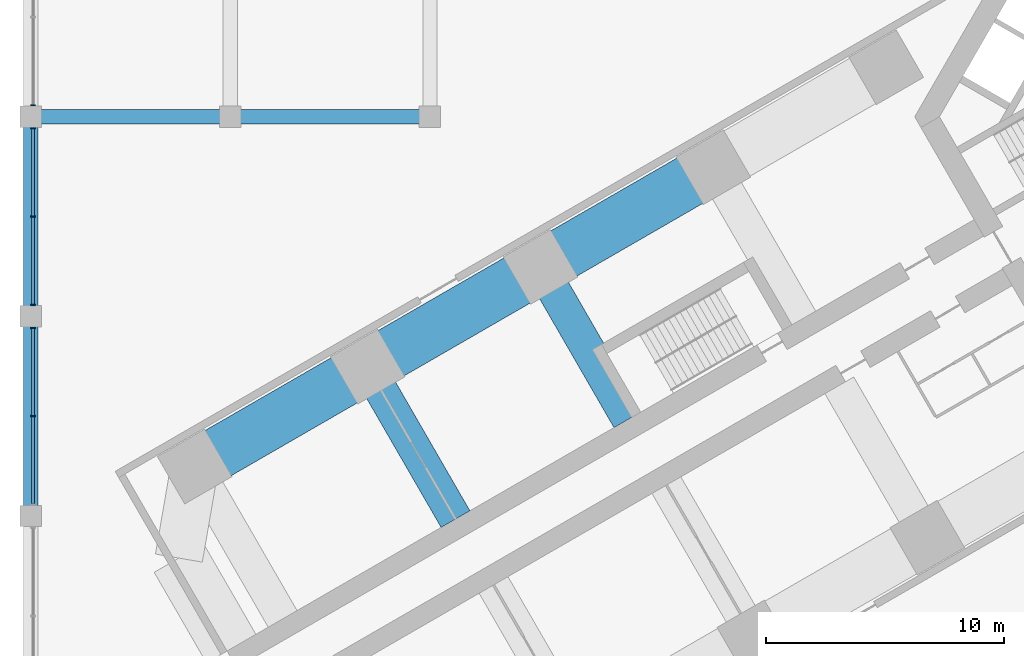
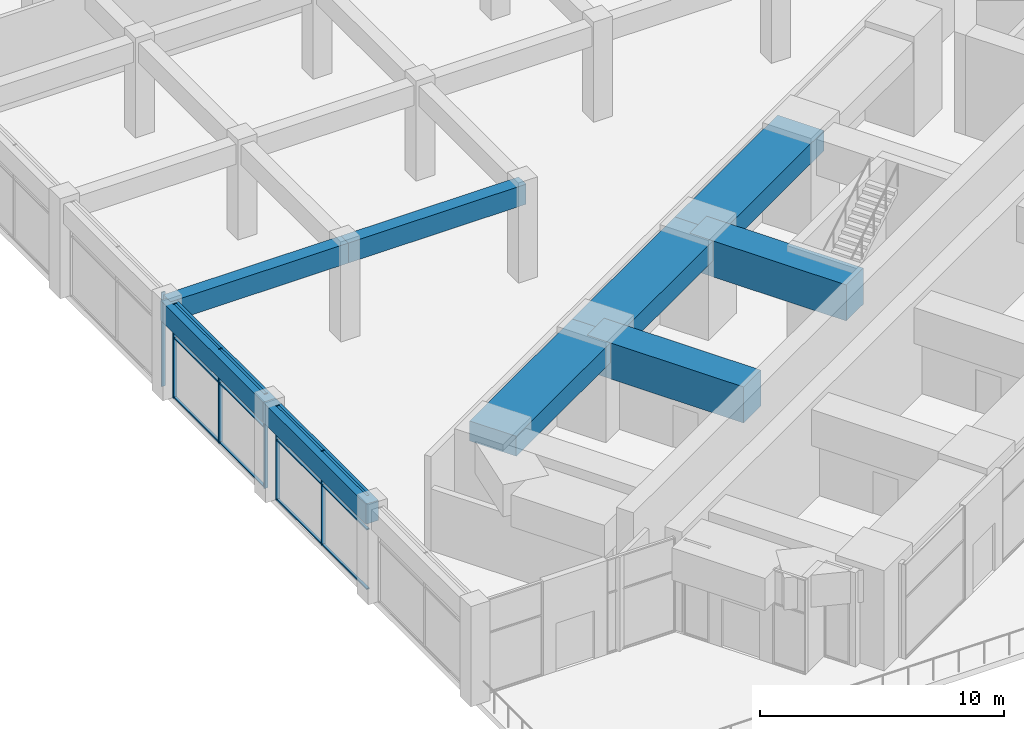
# One storey, part 3 of 34: 18 members, 9 beams, 3 elements without a shape of their own.
"""IFC4 building model written with IfcOpenShell, lengths in metres."""

from ifc_helpers import new_model, si_unit, direction, frame, origin, origin_2d, place, context, subcontext, project, spatial, rectangle, extrude, material, material_profile, profile_set, type_object, element, aggregate, save


model = new_model("IFC4")

# Units and contexts
model_context = context("Model", 3, precision=1e-05, world=origin(), true_north=direction((0.0, 1.0)))
body_context = subcontext(model_context, "Body", "Model", "MODEL_VIEW")
ifc_project = project(units=[si_unit("LENGTHUNIT", "METRE"), si_unit("AREAUNIT", "SQUARE_METRE"), si_unit("VOLUMEUNIT", "CUBIC_METRE"), si_unit("PLANEANGLEUNIT", "RADIAN"), si_unit("MASSUNIT", "GRAM", prefix="KILO")], contexts=[model_context])

# Site, building, storey
site_placement = place(None, origin())
site = spatial("IfcSite", under=ifc_project, at=site_placement, CompositionType="ELEMENT")
building_placement = place(site_placement, origin())
building = spatial("IfcBuilding", under=site, at=building_placement, Name="Impinga Residences", CompositionType="ELEMENT")
storey_placement = place(building_placement, frame((0.0, 0.0, 11.0)))
storey = spatial("IfcBuildingStorey", under=building, at=storey_placement, Name="L02", CompositionType="ELEMENT", Elevation=11.0)

# Beams
ifc_material_1 = material(Name="Concrete C60/75", Category="concrete")
ifc_material_profile_1 = material_profile(ifc_material_1, rectangle(XDim=1.39990234375, YDim=1.800048828125, at=origin_2d()), Name="RC 1400x1800")
ifc_profile_set_1 = profile_set([ifc_material_profile_1], Name="Concrete C60/75")
beam_type_1 = type_object("IfcBeamType", Name="CG4 1400x1800 cross girder on a wing bay line under the podium floors", PredefinedType="BEAM", material=ifc_profile_set_1)
for number, where, z_axis, x_axis, name in (
    (1, (-25.249267578125, -12.730224609375, 3.800048828125), (-0.499988999718, 0.866031754707, 0.0), (-0.866031754707, -0.499988999718, 0.0), "Beam CG4 W3 WC/WF level L03"),
    (2, (-32.52392578125, -16.93017578125, 3.800048828125), (-0.499988999718, 0.866031754707, 0.0), (-0.866031754707, -0.499988999718, 0.0), "Beam CG4 W4 WC/WF level L03"),
):
    element("IfcBeam", number, at=place(storey_placement, frame(where, z_axis=z_axis, x_axis=x_axis)), inside=storey, type_object=beam_type_1, Name=name, PredefinedType="BEAM", context=body_context, shape_type="SweptSolid", body=[
        extrude(rectangle(XDim=1.39990234375, YDim=1.800048828125, at=origin_2d()), origin(), (0.0, 0.0, 1.0), 7.400146484375),
    ])

# Curtain wall, members
ifc_material_2 = material(Name="Aluminium stick curtain wall", Category="aluminium")
curtain_wall_type = type_object("IfcCurtainWallType", Name="CW1 podium amenity curtain wall", PredefinedType="USERDEFINED", material=ifc_material_2)
curtain_wall_1_placement = place(storey_placement, origin())
curtain_wall_1 = element("IfcCurtainWall", 3, at=curtain_wall_1_placement, inside=storey, type_object=curtain_wall_type, Name="Curtain wall CW1 L02", ObjectType="STICK CURTAIN WALL", PredefinedType="USERDEFINED")
ifc_material_3 = material(Name="Aluminium mullion", Category="aluminium")
ifc_material_profile_2 = material_profile(ifc_material_3, rectangle(XDim=0.06005859375, YDim=0.179931640625, at=origin_2d()), Name="60x180 mullion")
ifc_profile_set_2 = profile_set([ifc_material_profile_2], Name="Aluminium mullion")
member_type_1 = type_object("IfcMemberType", Name="CW1-M mullion 60x180", PredefinedType="MULLION", material=ifc_profile_set_2)
member_1_placement = place(storey_placement, frame((-50.300048828125, -12.60009765625, 0.0), z_axis=(0.0, 0.0, 1.0), x_axis=(0.0, 1.0, 0.0)))
member_1 = element("IfcMember", 4, at=member_1_placement, type_object=member_type_1, Name="CW1 mullion 2", PredefinedType="MULLION", context=body_context, shape_type="SweptSolid", body=[
    extrude(rectangle(XDim=0.06005859375, YDim=0.179931640625, at=origin_2d()), origin(), (0.0, 0.0, 1.0), 4.699951171875),
])
member_2_placement = place(storey_placement, frame((-50.300048828125, -8.883056640625, 0.0), z_axis=(0.0, 0.0, 1.0), x_axis=(0.0, 1.0, 0.0)))
member_2 = element("IfcMember", 5, at=member_2_placement, type_object=member_type_1, Name="CW1 mullion 3", PredefinedType="MULLION", context=body_context, shape_type="SweptSolid", body=[
    extrude(rectangle(XDim=0.06005859375, YDim=0.179931640625, at=origin_2d()), origin(), (0.0, 0.0, 1.0), 4.699951171875),
])

curtain_wall_2_placement = place(storey_placement, origin())
curtain_wall_2 = element("IfcCurtainWall", 6, at=curtain_wall_2_placement, inside=storey, type_object=curtain_wall_type, Name="Curtain wall CW1 L02", ObjectType="STICK CURTAIN WALL", PredefinedType="USERDEFINED")
member_3_placement = place(storey_placement, frame((-50.300048828125, -7.9169921875, 0.0), z_axis=(0.0, 0.0, 1.0), x_axis=(0.0, 1.0, 0.0)))
member_3 = element("IfcMember", 7, at=member_3_placement, type_object=member_type_1, Name="CW1 mullion 1", PredefinedType="MULLION", context=body_context, shape_type="SweptSolid", body=[
    extrude(rectangle(XDim=0.06005859375, YDim=0.179931640625, at=origin_2d()), origin(), (0.0, 0.0, 1.0), 4.699951171875),
])
member_4_placement = place(storey_placement, frame((-50.300048828125, -4.199951171875, 0.0), z_axis=(0.0, 0.0, 1.0), x_axis=(0.0, 1.0, 0.0)))
member_4 = element("IfcMember", 8, at=member_4_placement, type_object=member_type_1, Name="CW1 mullion 2", PredefinedType="MULLION", context=body_context, shape_type="SweptSolid", body=[
    extrude(rectangle(XDim=0.06005859375, YDim=0.179931640625, at=origin_2d()), origin(), (0.0, 0.0, 1.0), 4.699951171875),
])
member_5_placement = place(storey_placement, frame((-50.300048828125, -0.48291015625, 0.0), z_axis=(0.0, 0.0, 1.0), x_axis=(0.0, 1.0, 0.0)))
member_5 = element("IfcMember", 9, at=member_5_placement, type_object=member_type_1, Name="CW1 mullion 3", PredefinedType="MULLION", context=body_context, shape_type="SweptSolid", body=[
    extrude(rectangle(XDim=0.06005859375, YDim=0.179931640625, at=origin_2d()), origin(), (0.0, 0.0, 1.0), 4.699951171875),
])

# Curtain wall, member
curtain_wall_3_placement = place(storey_placement, origin())
curtain_wall_3 = element("IfcCurtainWall", 10, at=curtain_wall_3_placement, inside=storey, type_object=curtain_wall_type, Name="Curtain wall CW1 L02", ObjectType="STICK CURTAIN WALL", PredefinedType="USERDEFINED")
member_6_placement = place(storey_placement, frame((-50.300048828125, 0.48291015625, 0.0), z_axis=(0.0, 0.0, 1.0), x_axis=(0.0, 1.0, 0.0)))
member_6 = element("IfcMember", 11, at=member_6_placement, type_object=member_type_1, Name="CW1 mullion 1", PredefinedType="MULLION", context=body_context, shape_type="SweptSolid", body=[
    extrude(rectangle(XDim=0.06005859375, YDim=0.179931640625, at=origin_2d()), origin(), (0.0, 0.0, 1.0), 4.699951171875),
])
aggregate(curtain_wall_3, [member_6])

# Member
ifc_material_4 = material(Name="Aluminium transom", Category="aluminium")
ifc_material_profile_3 = material_profile(ifc_material_4, rectangle(XDim=0.06005859375, YDim=0.1201171875, at=origin_2d()), Name="60x120 transom")
ifc_profile_set_3 = profile_set([ifc_material_profile_3], Name="Aluminium transom")
member_type_2 = type_object("IfcMemberType", Name="CW1-T transom 60x120", PredefinedType="USERDEFINED", material=ifc_profile_set_3)
member_7_placement = place(storey_placement, frame((-50.300048828125, -16.287109375, 0.030029296875), z_axis=(0.0, 1.0, 0.0), x_axis=(0.0, 0.0, 1.0)))
member_7 = element("IfcMember", 12, at=member_7_placement, type_object=member_type_2, Name="CW1 transom 1.1", ObjectType="TRANSOM", PredefinedType="USERDEFINED", context=body_context, shape_type="SweptSolid", body=[
    extrude(rectangle(XDim=0.06005859375, YDim=0.1201171875, at=origin_2d()), origin(), (0.0, 0.0, 1.0), 3.6572265625),
])

member_8_placement = place(storey_placement, frame((-50.300048828125, -16.287109375, 3.0), z_axis=(0.0, 1.0, 0.0), x_axis=(0.0, 0.0, 1.0)))
member_8 = element("IfcMember", 13, at=member_8_placement, type_object=member_type_2, Name="CW1 transom 1.2", ObjectType="TRANSOM", PredefinedType="USERDEFINED", context=body_context, shape_type="SweptSolid", body=[
    extrude(rectangle(XDim=0.06005859375, YDim=0.1201171875, at=origin_2d()), origin(), (0.0, 0.0, 1.0), 3.6572265625),
])

member_9_placement = place(storey_placement, frame((-50.300048828125, -16.287109375, 4.669921875), z_axis=(0.0, 1.0, 0.0), x_axis=(0.0, 0.0, 1.0)))
member_9 = element("IfcMember", 14, at=member_9_placement, type_object=member_type_2, Name="CW1 transom 1.3", ObjectType="TRANSOM", PredefinedType="USERDEFINED", context=body_context, shape_type="SweptSolid", body=[
    extrude(rectangle(XDim=0.06005859375, YDim=0.1201171875, at=origin_2d()), origin(), (0.0, 0.0, 1.0), 3.6572265625),
])

member_10_placement = place(storey_placement, frame((-50.300048828125, -12.570068359375, 0.030029296875), z_axis=(0.0, 1.0, 0.0), x_axis=(0.0, 0.0, 1.0)))
member_10 = element("IfcMember", 15, at=member_10_placement, type_object=member_type_2, Name="CW1 transom 2.1", ObjectType="TRANSOM", PredefinedType="USERDEFINED", context=body_context, shape_type="SweptSolid", body=[
    extrude(rectangle(XDim=0.06005859375, YDim=0.1201171875, at=origin_2d()), origin(), (0.0, 0.0, 1.0), 3.656982421875),
])

member_11_placement = place(storey_placement, frame((-50.300048828125, -12.570068359375, 3.0), z_axis=(0.0, 1.0, 0.0), x_axis=(0.0, 0.0, 1.0)))
member_11 = element("IfcMember", 16, at=member_11_placement, type_object=member_type_2, Name="CW1 transom 2.2", ObjectType="TRANSOM", PredefinedType="USERDEFINED", context=body_context, shape_type="SweptSolid", body=[
    extrude(rectangle(XDim=0.06005859375, YDim=0.1201171875, at=origin_2d()), origin(), (0.0, 0.0, 1.0), 3.656982421875),
])

member_12_placement = place(storey_placement, frame((-50.300048828125, -12.570068359375, 4.669921875), z_axis=(0.0, 1.0, 0.0), x_axis=(0.0, 0.0, 1.0)))
member_12 = element("IfcMember", 17, at=member_12_placement, type_object=member_type_2, Name="CW1 transom 2.3", ObjectType="TRANSOM", PredefinedType="USERDEFINED", context=body_context, shape_type="SweptSolid", body=[
    extrude(rectangle(XDim=0.06005859375, YDim=0.1201171875, at=origin_2d()), origin(), (0.0, 0.0, 1.0), 3.656982421875),
])

aggregate(curtain_wall_1, [member_1, member_2, member_7, member_8, member_9, member_10, member_11, member_12])

member_13_placement = place(storey_placement, frame((-50.300048828125, -7.886962890625, 0.030029296875), z_axis=(0.0, 1.0, 0.0), x_axis=(0.0, 0.0, 1.0)))
member_13 = element("IfcMember", 18, at=member_13_placement, type_object=member_type_2, Name="CW1 transom 1.1", ObjectType="TRANSOM", PredefinedType="USERDEFINED", context=body_context, shape_type="SweptSolid", body=[
    extrude(rectangle(XDim=0.06005859375, YDim=0.1201171875, at=origin_2d()), origin(), (0.0, 0.0, 1.0), 3.656982421875),
])

member_14_placement = place(storey_placement, frame((-50.300048828125, -7.886962890625, 3.0), z_axis=(0.0, 1.0, 0.0), x_axis=(0.0, 0.0, 1.0)))
member_14 = element("IfcMember", 19, at=member_14_placement, type_object=member_type_2, Name="CW1 transom 1.2", ObjectType="TRANSOM", PredefinedType="USERDEFINED", context=body_context, shape_type="SweptSolid", body=[
    extrude(rectangle(XDim=0.06005859375, YDim=0.1201171875, at=origin_2d()), origin(), (0.0, 0.0, 1.0), 3.656982421875),
])

member_15_placement = place(storey_placement, frame((-50.300048828125, -7.886962890625, 4.669921875), z_axis=(0.0, 1.0, 0.0), x_axis=(0.0, 0.0, 1.0)))
member_15 = element("IfcMember", 20, at=member_15_placement, type_object=member_type_2, Name="CW1 transom 1.3", ObjectType="TRANSOM", PredefinedType="USERDEFINED", context=body_context, shape_type="SweptSolid", body=[
    extrude(rectangle(XDim=0.06005859375, YDim=0.1201171875, at=origin_2d()), origin(), (0.0, 0.0, 1.0), 3.656982421875),
])

member_16_placement = place(storey_placement, frame((-50.300048828125, -4.169921875, 0.030029296875), z_axis=(0.0, 1.0, 0.0), x_axis=(0.0, 0.0, 1.0)))
member_16 = element("IfcMember", 21, at=member_16_placement, type_object=member_type_2, Name="CW1 transom 2.1", ObjectType="TRANSOM", PredefinedType="USERDEFINED", context=body_context, shape_type="SweptSolid", body=[
    extrude(rectangle(XDim=0.06005859375, YDim=0.1201171875, at=origin_2d()), origin(), (0.0, 0.0, 1.0), 3.656982421875),
])

member_17_placement = place(storey_placement, frame((-50.300048828125, -4.169921875, 3.0), z_axis=(0.0, 1.0, 0.0), x_axis=(0.0, 0.0, 1.0)))
member_17 = element("IfcMember", 22, at=member_17_placement, type_object=member_type_2, Name="CW1 transom 2.2", ObjectType="TRANSOM", PredefinedType="USERDEFINED", context=body_context, shape_type="SweptSolid", body=[
    extrude(rectangle(XDim=0.06005859375, YDim=0.1201171875, at=origin_2d()), origin(), (0.0, 0.0, 1.0), 3.656982421875),
])

member_18_placement = place(storey_placement, frame((-50.300048828125, -4.169921875, 4.669921875), z_axis=(0.0, 1.0, 0.0), x_axis=(0.0, 0.0, 1.0)))
member_18 = element("IfcMember", 23, at=member_18_placement, type_object=member_type_2, Name="CW1 transom 2.3", ObjectType="TRANSOM", PredefinedType="USERDEFINED", context=body_context, shape_type="SweptSolid", body=[
    extrude(rectangle(XDim=0.06005859375, YDim=0.1201171875, at=origin_2d()), origin(), (0.0, 0.0, 1.0), 3.656982421875),
])

aggregate(curtain_wall_2, [member_3, member_4, member_5, member_13, member_14, member_15, member_16, member_17, member_18])

# Beams
ifc_material_profile_4 = material_profile(ifc_material_1, rectangle(XDim=0.60009765625, YDim=1.0, at=origin_2d()), Name="RC 600x1000")
ifc_profile_set_4 = profile_set([ifc_material_profile_4], Name="Concrete C60/75")
beam_type_2 = type_object("IfcBeamType", Name="PB2 600x1000 podium beam", PredefinedType="BEAM", material=ifc_profile_set_4)
for number, where, z_axis, x_axis, name in (
    (24, (-50.39990234375, 0.0, 4.199951171875), (1.0, 0.0, 0.0), (0.0, 1.0, 0.0), "Beam PB2 F/1-2 level L03"),
    (25, (-42.0, 0.0, 4.199951171875), (1.0, 0.0, 0.0), (0.0, 1.0, 0.0), "Beam PB2 F/2-3 level L03"),
):
    element("IfcBeam", number, at=place(storey_placement, frame(where, z_axis=z_axis, x_axis=x_axis)), inside=storey, type_object=beam_type_2, Name=name, PredefinedType="BEAM", context=body_context, shape_type="SweptSolid", body=[
        extrude(rectangle(XDim=0.60009765625, YDim=1.0, at=origin_2d()), origin(), (0.0, 0.0, 1.0), 8.39990234375),
    ])
beam_1_placement = place(storey_placement, frame((-50.39990234375, -16.800048828125, 4.199951171875), z_axis=(0.0, 1.0, 0.0), x_axis=(-1.0, 0.0, 0.0)))
element("IfcBeam", 26, at=beam_1_placement, inside=storey, type_object=beam_type_2, Name="Beam PB2 1/D-E level L03", PredefinedType="BEAM", context=body_context, shape_type="SweptSolid", body=[
    extrude(rectangle(XDim=0.60009765625, YDim=1.0, at=origin_2d()), origin(), (0.0, 0.0, 1.0), 8.400146484375),
])
beam_2_placement = place(storey_placement, frame((-50.39990234375, -8.39990234375, 4.199951171875), z_axis=(0.0, 1.0, 0.0), x_axis=(-1.0, 0.0, 0.0)))
element("IfcBeam", 27, at=beam_2_placement, inside=storey, type_object=beam_type_2, Name="Beam PB2 1/E-F level L03", PredefinedType="BEAM", context=body_context, shape_type="SweptSolid", body=[
    extrude(rectangle(XDim=0.60009765625, YDim=1.0, at=origin_2d()), origin(), (0.0, 0.0, 1.0), 8.39990234375),
])
ifc_material_profile_5 = material_profile(ifc_material_1, rectangle(XDim=2.199951171875, YDim=1.0, at=origin_2d()), Name="RC 2200x1000")
ifc_profile_set_5 = profile_set([ifc_material_profile_5], Name="Concrete C60/75")
beam_type_3 = type_object("IfcBeamType", Name="PB3 2200x1000 podium band beam", PredefinedType="BEAM", material=ifc_profile_set_5)
for number, where, z_axis, x_axis, name in (
    (28, (-21.674560546875, -2.12158203125, 4.199951171875), (-0.86602925447, -0.499993330357, 0.0), (0.499993330357, -0.86602925447, 0.0), "Beam PB3 WF W2-W3 level L03"),
    (29, (-28.94921875, -6.321533203125, 4.199951171875), (-0.86602925447, -0.499993330357, 0.0), (0.499993330357, -0.86602925447, 0.0), "Beam PB3 WF W3-W4 level L03"),
    (30, (-36.223876953125, -10.521484375, 4.199951171875), (-0.86602925447, -0.499993330357, 0.0), (0.499993330357, -0.86602925447, 0.0), "Beam PB3 WF W4-W5 level L03"),
):
    element("IfcBeam", number, at=place(storey_placement, frame(where, z_axis=z_axis, x_axis=x_axis)), inside=storey, type_object=beam_type_3, Name=name, PredefinedType="BEAM", context=body_context, shape_type="SweptSolid", body=[
        extrude(rectangle(XDim=2.199951171875, YDim=1.0, at=origin_2d()), origin(), (0.0, 0.0, 1.0), 8.39990234375),
    ])

save(model, "model.ifc")
